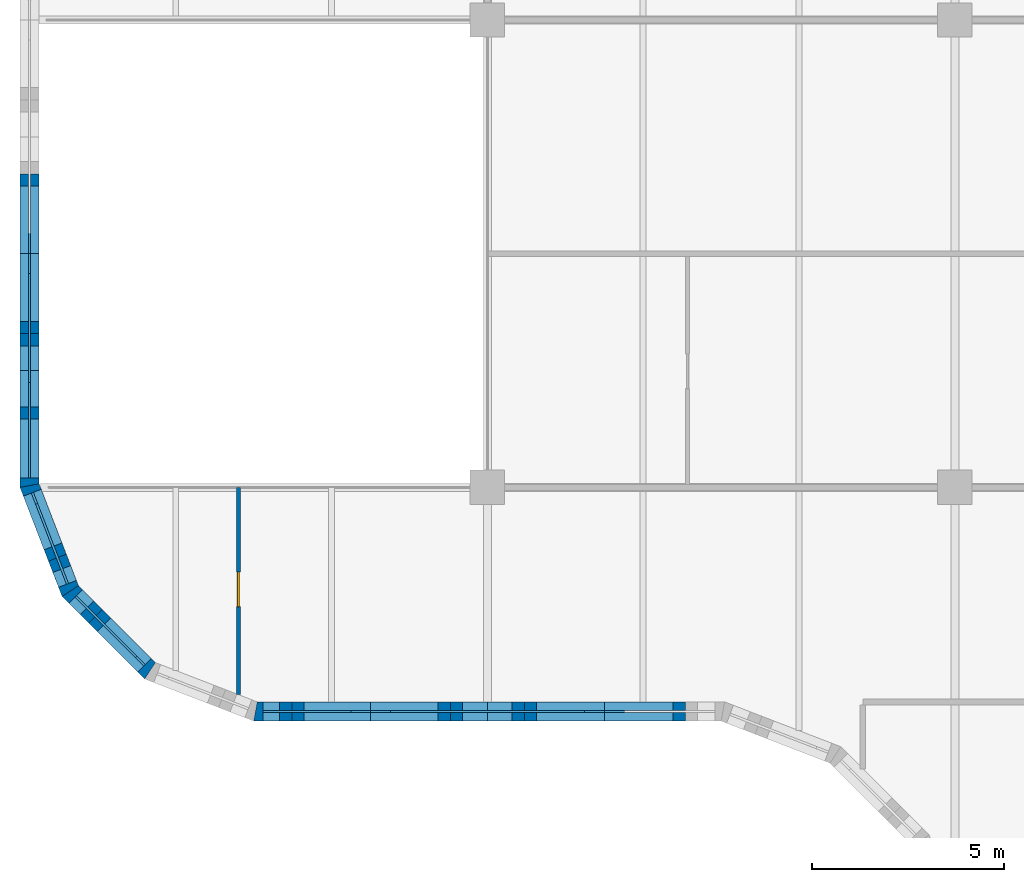
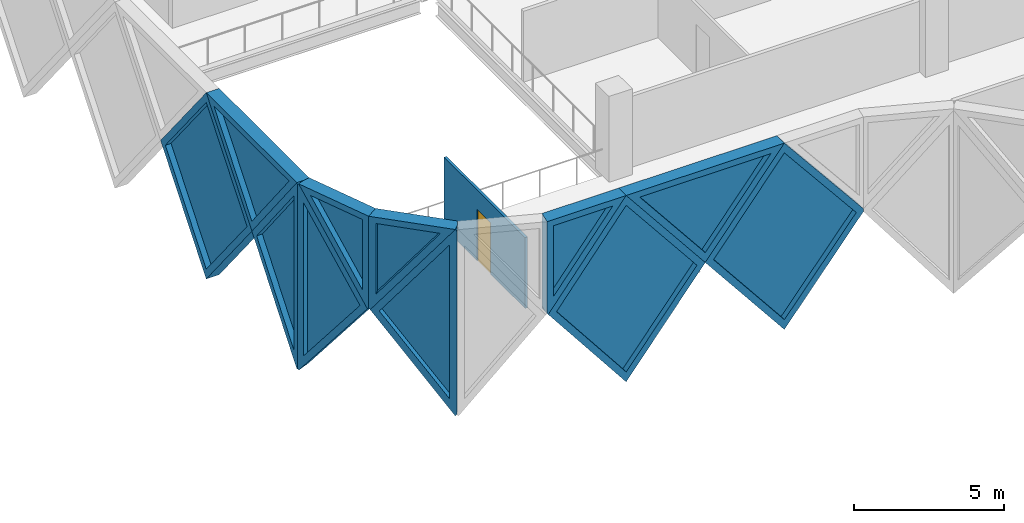
# One storey, part 4 of 15: 12 walls, 11 plates, 1 door, 12 openings.
"""IFC4 building model written with IfcOpenShell, lengths in metres."""

from ifc_helpers import new_model, si_unit, direction, frame, frame_2d, origin, place, context, subcontext, project, spatial, polyline, rectangle, outline, extrude, faceted_brep, source, transform, mapped, material, layer, layer_set, type_object, element, fill, save


model = new_model("IFC4")

# Units and contexts
model_context = context("Model", 3, precision=1e-05, world=origin(), true_north=direction((0.0, 1.0)))
body_context = subcontext(model_context, "Body", "Model", "MODEL_VIEW")
ifc_project = project(units=[si_unit("LENGTHUNIT", "METRE"), si_unit("AREAUNIT", "SQUARE_METRE"), si_unit("VOLUMEUNIT", "CUBIC_METRE"), si_unit("PLANEANGLEUNIT", "RADIAN"), si_unit("MASSUNIT", "GRAM", prefix="KILO")], contexts=[model_context])

# Site, building, storey
site_placement = place(None, origin())
site = spatial("IfcSite", under=ifc_project, at=site_placement, CompositionType="ELEMENT")
building_placement = place(site_placement, origin())
building = spatial("IfcBuilding", under=site, at=building_placement, Name="Tessera Gate Towers", CompositionType="ELEMENT")
storey_placement = place(building_placement, frame((0.0, 0.0, 146.800048828125)))
storey = spatial("IfcBuildingStorey", under=building, at=storey_placement, Name="L36", CompositionType="ELEMENT", Elevation=146.800048828125)

# Wall, opening, door
ifc_material_1 = material(Name="Glass", Category="glass")
ifc_layer_1 = layer(ifc_material_1, 0.10009765625)
ifc_layer_set_1 = layer_set([ifc_layer_1], Name="GLAZED PARTITION 100")
wall_type_1 = type_object("IfcWallType", Name="GLAZED PARTITION 100", PredefinedType="PARTITIONING", material=ifc_layer_set_1)
wall_1_placement = place(storey_placement, frame((5.699951171875, 18.990234375, 0.0), z_axis=(0.0, 0.0, 1.0), x_axis=(0.0, 1.0, 0.0)))
wall_1 = element("IfcWall", 1, at=wall_1_placement, inside=storey, type_object=wall_type_1, Name="T1-L36-PW-026", PredefinedType="PARTITIONING", context=body_context, shape_type="SweptSolid", body=[
    extrude(rectangle(XDim=5.40966796875, YDim=0.10009765625, at=frame_2d((2.704833984375, 0.0))), origin(), (0.0, 0.0, 1.0), 2.887939453125),
])
shared_shape_1 = source(origin(), body_context, "Body", "SweptSolid", [
    extrude(rectangle(XDim=0.89990234375, YDim=2.10009765625, at=frame_2d((0.449951171875, 1.050048828125))), frame((0.0, 0.06005859375, 0.0), z_axis=(0.0, -1.0, 0.0), x_axis=(1.0, 0.0, 0.0)), (0.0, 0.0, 1.0), 0.1201171875),
])
opening_1_placement = place(wall_1_placement, frame((2.300048828125, 0.0, 0.0)))
opening_1 = element("IfcOpeningElement", 2, at=opening_1_placement, cuts=wall_1, Name="Opening D690-A13-03", PredefinedType="OPENING", context=body_context, shape_type="MappedRepresentation", body=[
    mapped(shared_shape_1, transform((0.0, 0.0, 0.0), scale=1.0)),
])
ifc_material_2 = material(Name="Glass in aluminium frame", Category="aluminium")
door_type = type_object("IfcDoorType", Name="GLAZED DOOR 900 NOT RATED", OperationType="NOTDEFINED", PredefinedType="DOOR", material=ifc_material_2)
shared_shape_2 = source(origin(), body_context, "Body", "SweptSolid", [
    extrude(rectangle(XDim=0.89990234375, YDim=2.10009765625, at=frame_2d((0.449951171875, 1.050048828125))), frame((0.0, 0.02490234375, 0.0), z_axis=(0.0, -1.0, 0.0), x_axis=(1.0, 0.0, 0.0)), (0.0, 0.0, 1.0), 0.050048828125),
])
door_placement = place(opening_1_placement, origin())
door = element("IfcDoor", 3, at=door_placement, inside=storey, type_object=door_type, Name="T1-L36-PD-008", OperationType="SINGLE_SWING_LEFT", OverallHeight=2.10009765625, OverallWidth=0.89990234375, PredefinedType="DOOR", context=body_context, shape_type="MappedRepresentation", body=[
    mapped(shared_shape_2, transform((0.0, 0.0, 0.0), scale=1.0)),
])
fill(opening_1, door)

# Wall, opening, plate
ifc_material_3 = material(Name="Precast concrete C60/75 white", Category="concrete")
ifc_layer_2 = layer(ifc_material_3, 0.5)
ifc_layer_set_2 = layer_set([ifc_layer_2], Name="TS1 tessera")
wall_type_2 = type_object("IfcWallType", Name="TS1 tessera", PredefinedType="SOLIDWALL", material=ifc_layer_set_2)
shared_shape_3 = source(origin(), body_context, "Body", "Brep", [
    faceted_brep([(3.00341796875, -0.25, 0.0), (6.053466796875, -0.25, 3.800048828125), (3.00341796875, -0.25, 7.60009765625), (0.0, -0.25, 3.800048828125), (0.046630859375, 0.25, 3.85888671875), (3.00341796875, 0.25, 7.60009765625), (6.053466796875, 0.25, 3.800048828125), (3.00341796875, 0.25, 0.0), (0.046630859375, 0.25, 3.7412109375), (0.0, 0.0, 3.800048828125)], [[[0, 1, 2, 3]], [[4, 5, 6, 7, 8]], [[7, 6, 1, 0]], [[6, 5, 2, 1]], [[5, 4, 9, 3, 2]], [[8, 7, 0, 3, 9]], [[8, 9, 4]]]),
])
wall_2_placement = place(storey_placement, frame((6.146484375, 18.550048828125, -3.800048828125), z_axis=(0.0, 0.0, 1.0), x_axis=(1.0, 0.0, 0.0)))
wall_2 = element("IfcWall", 4, at=wall_2_placement, inside=storey, type_object=wall_type_2, Name="Precast tessera T1 TS1-0642", PredefinedType="SOLIDWALL", context=body_context, shape_type="MappedRepresentation", body=[
    mapped(shared_shape_3, transform((0.0, 0.0, 0.0), scale=1.0)),
])
shared_shape_4 = source(origin(), body_context, "Body", "SweptSolid", [
    extrude(outline(polyline([(3.0048828125, 0.4013671875), (5.73291015625, 3.800048828125), (3.0048828125, 7.19873046875), (0.318603515625, 3.800048828125), (3.0048828125, 0.4013671875)])), frame((0.0, 0.260009765625, 0.0), z_axis=(0.0, -1.0, 0.0), x_axis=(1.0, 0.0, 0.0)), (0.0, 0.0, 1.0), 0.52001953125),
])
opening_2_placement = place(wall_2_placement, origin())
opening_2 = element("IfcOpeningElement", 5, at=opening_2_placement, cuts=wall_2, Name="Opening T1-PL2-1306", PredefinedType="OPENING", context=body_context, shape_type="MappedRepresentation", body=[
    mapped(shared_shape_4, transform((0.0, 0.0, 0.0), scale=1.0)),
])
ifc_material_4 = material(Name="Low-e laminated glass", Category="glass")
ifc_layer_3 = layer(ifc_material_4, 0.06005859375)
ifc_layer_set_3 = layer_set([ifc_layer_3], Name="PL2 rhombic pane")
plate_type_1 = type_object("IfcPlateType", Name="PL2 rhombic pane", PredefinedType="SHEET", material=ifc_layer_set_3)
shared_shape_5 = source(origin(), body_context, "Body", "SweptSolid", [
    extrude(outline(polyline([(3.0048828125, 0.4013671875), (5.73291015625, 3.800048828125), (3.0048828125, 7.19873046875), (0.318603515625, 3.800048828125), (3.0048828125, 0.4013671875)])), frame((0.0, 0.030029296875, 0.0), z_axis=(0.0, -1.0, 0.0), x_axis=(1.0, 0.0, 0.0)), (0.0, 0.0, 1.0), 0.06005859375),
])
plate_1_placement = place(opening_2_placement, origin())
plate_1 = element("IfcPlate", 6, at=plate_1_placement, inside=storey, type_object=plate_type_1, Name="Glass pane T1 PL2-1306", PredefinedType="SHEET", context=body_context, shape_type="MappedRepresentation", body=[
    mapped(shared_shape_5, transform((0.0, 0.0, 0.0), scale=1.0)),
])
fill(opening_2, plate_1)

shared_shape_6 = source(origin(), body_context, "Body", "SweptSolid", [
    extrude(outline(polyline([(3.050048828125, 0.0), (6.10009765625, 3.800048828125), (3.050048828125, 7.60009765625), (0.0, 3.800048828125), (3.050048828125, 0.0)])), frame((0.0, 0.25, 0.0), z_axis=(0.0, -1.0, 0.0), x_axis=(1.0, 0.0, 0.0)), (0.0, 0.0, 1.0), 0.5),
])
wall_3_placement = place(storey_placement, frame((0.25, 33.550048828125, -3.800048828125), z_axis=(0.0, 0.0, 1.0), x_axis=(0.0, -1.0, 0.0)))
wall_3 = element("IfcWall", 7, at=wall_3_placement, inside=storey, type_object=wall_type_2, Name="Precast tessera T1 TS1-0641", PredefinedType="SOLIDWALL", context=body_context, shape_type="MappedRepresentation", body=[
    mapped(shared_shape_6, transform((0.0, 0.0, 0.0), scale=1.0)),
])
shared_shape_7 = source(origin(), body_context, "Body", "SweptSolid", [
    extrude(outline(polyline([(3.050048828125, 0.3994140625), (5.779541015625, 3.800048828125), (3.050048828125, 7.20068359375), (0.320556640625, 3.800048828125), (3.050048828125, 0.3994140625)])), frame((0.0, 0.260009765625, 0.0), z_axis=(0.0, -1.0, 0.0), x_axis=(1.0, 0.0, 0.0)), (0.0, 0.0, 1.0), 0.52001953125),
])
opening_3_placement = place(wall_3_placement, origin())
opening_3 = element("IfcOpeningElement", 8, at=opening_3_placement, cuts=wall_3, Name="Opening T1-PL2-1301", PredefinedType="OPENING", context=body_context, shape_type="MappedRepresentation", body=[
    mapped(shared_shape_7, transform((0.0, 0.0, 0.0), scale=1.0)),
])
shared_shape_8 = source(origin(), body_context, "Body", "SweptSolid", [
    extrude(outline(polyline([(3.050048828125, 0.3994140625), (5.779541015625, 3.800048828125), (3.050048828125, 7.20068359375), (0.320556640625, 3.800048828125), (3.050048828125, 0.3994140625)])), frame((0.0, 0.030029296875, 0.0), z_axis=(0.0, -1.0, 0.0), x_axis=(1.0, 0.0, 0.0)), (0.0, 0.0, 1.0), 0.06005859375),
])
plate_2_placement = place(opening_3_placement, origin())
plate_2 = element("IfcPlate", 9, at=plate_2_placement, inside=storey, type_object=plate_type_1, Name="Glass pane T1 PL2-1301", PredefinedType="SHEET", context=body_context, shape_type="MappedRepresentation", body=[
    mapped(shared_shape_8, transform((0.0, 0.0, 0.0), scale=1.0)),
])
fill(opening_3, plate_2)

ifc_material_5 = material(Name="Precast concrete C60/75 white", Category="concrete")
ifc_layer_4 = layer(ifc_material_5, 0.5)
ifc_layer_set_4 = layer_set([ifc_layer_4], Name="TS3 corner tessera")
wall_type_3 = type_object("IfcWallType", Name="TS3 corner tessera", PredefinedType="SOLIDWALL", material=ifc_layer_set_4)
shared_shape_9 = source(origin(), body_context, "Body", "Brep", [
    faceted_brep([(3.00341796875, -0.25, 0.0), (3.050048828125, -0.25, 0.06005859375), (3.050048828125, -0.25, 7.5400390625), (3.00341796875, -0.25, 7.60009765625), (0.0, -0.25, 3.800048828125), (0.0, 0.25, 3.800048828125), (2.956787109375, 0.25, 7.541259765625), (2.956787109375, 0.25, 0.058837890625), (3.00341796875, 0.000244140625, 0.0), (3.00341796875, 0.000244140625, 7.60009765625)], [[[0, 1, 2, 3, 4]], [[5, 6, 7]], [[1, 0, 8]], [[9, 3, 2]], [[6, 5, 4, 3, 9]], [[5, 7, 8, 0, 4]], [[1, 8, 7, 6, 9, 2]]]),
])
wall_4_placement = place(storey_placement, frame((0.25, 27.449951171875, -3.800048828125), z_axis=(0.0, 0.0, 1.0), x_axis=(0.0, -1.0, 0.0)))
wall_4 = element("IfcWall", 10, at=wall_4_placement, inside=storey, type_object=wall_type_3, Name="Precast corner tessera T1 TS3-0829", PredefinedType="SOLIDWALL", context=body_context, shape_type="MappedRepresentation", body=[
    mapped(shared_shape_9, transform((0.0, 0.0, 0.0), scale=1.0)),
])
shared_shape_10 = source(origin(), body_context, "Body", "SweptSolid", [
    extrude(outline(polyline([(2.803466796875, 6.94384765625), (0.318603515625, 3.800048828125), (2.803466796875, 0.65625), (2.803466796875, 6.94384765625)])), frame((0.0, 0.260009765625, 0.0), z_axis=(0.0, -1.0, 0.0), x_axis=(1.0, 0.0, 0.0)), (0.0, 0.0, 1.0), 0.52001953125),
])
opening_4_placement = place(wall_4_placement, origin())
opening_4 = element("IfcOpeningElement", 11, at=opening_4_placement, cuts=wall_4, Name="Opening T1-PL2-1302", PredefinedType="OPENING", context=body_context, shape_type="MappedRepresentation", body=[
    mapped(shared_shape_10, transform((0.0, 0.0, 0.0), scale=1.0)),
])
shared_shape_11 = source(origin(), body_context, "Body", "SweptSolid", [
    extrude(outline(polyline([(2.803466796875, 6.94384765625), (0.318603515625, 3.800048828125), (2.803466796875, 0.65625), (2.803466796875, 6.94384765625)])), frame((0.0, 0.030029296875, 0.0), z_axis=(0.0, -1.0, 0.0), x_axis=(1.0, 0.0, 0.0)), (0.0, 0.0, 1.0), 0.06005859375),
])
plate_3_placement = place(opening_4_placement, origin())
plate_3 = element("IfcPlate", 12, at=plate_3_placement, inside=storey, type_object=plate_type_1, Name="Glass pane T1 PL2-1302", PredefinedType="SHEET", context=body_context, shape_type="MappedRepresentation", body=[
    mapped(shared_shape_11, transform((0.0, 0.0, 0.0), scale=1.0)),
])
fill(opening_4, plate_3)

shared_shape_12 = source(origin(), body_context, "Body", "Brep", [
    faceted_brep([(0.046630859375, -0.25, 0.0), (2.9970703125, -0.25, 3.800048828125), (0.046630859375, -0.25, 7.60009765625), (0.0, -0.25, 7.541259765625), (0.0, -0.25, 0.058837890625), (0.09326171875, 0.25, 7.5400390625), (2.9443359375, 0.25, 3.8681640625), (2.9443359375, 0.25, 3.73193359375), (0.09326171875, 0.25, 0.06005859375), (2.9970703125, 0.00048828125, 3.800048828125), (0.046630859375, 0.0, 0.0), (0.046630859375, 0.0, 7.60009765625)], [[[0, 1, 2, 3, 4]], [[5, 6, 7, 8]], [[8, 7, 9, 1, 0, 10]], [[6, 5, 11, 2, 1, 9]], [[3, 2, 11]], [[10, 0, 4]], [[8, 10, 4, 3, 11, 5]], [[9, 7, 6]]]),
])
wall_5_placement = place(storey_placement, frame((0.233154296875, 24.489990234375, -3.800048828125), z_axis=(0.0, 0.0, 1.0), x_axis=(0.359901446078, -0.932990326376, 0.0)))
wall_5 = element("IfcWall", 13, at=wall_5_placement, inside=storey, type_object=wall_type_3, Name="Precast corner tessera T1 TS3-0830", PredefinedType="SOLIDWALL", context=body_context, shape_type="MappedRepresentation", body=[
    mapped(shared_shape_12, transform((0.0, 0.0, 0.0), scale=1.0)),
])
shared_shape_13 = source(origin(), body_context, "Body", "SweptSolid", [
    extrude(outline(polyline([(0.24658203125, 0.665283203125), (2.6806640625, 3.800048828125), (0.24658203125, 6.934814453125), (0.24658203125, 0.665283203125)])), frame((0.0, 0.260009765625, 0.0), z_axis=(0.0, -1.0, 0.0), x_axis=(1.0, 0.0, 0.0)), (0.0, 0.0, 1.0), 0.52001953125),
])
opening_5_placement = place(wall_5_placement, origin())
opening_5 = element("IfcOpeningElement", 14, at=opening_5_placement, cuts=wall_5, Name="Opening T1-PL2-1303", PredefinedType="OPENING", context=body_context, shape_type="MappedRepresentation", body=[
    mapped(shared_shape_13, transform((0.0, 0.0, 0.0), scale=1.0)),
])
shared_shape_14 = source(origin(), body_context, "Body", "SweptSolid", [
    extrude(outline(polyline([(0.24658203125, 0.665283203125), (2.6806640625, 3.800048828125), (0.24658203125, 6.934814453125), (0.24658203125, 0.665283203125)])), frame((0.0, 0.030029296875, 0.0), z_axis=(0.0, -1.0, 0.0), x_axis=(1.0, 0.0, 0.0)), (0.0, 0.0, 1.0), 0.06005859375),
])
plate_4_placement = place(opening_5_placement, origin())
plate_4 = element("IfcPlate", 15, at=plate_4_placement, inside=storey, type_object=plate_type_1, Name="Glass pane T1 PL2-1303", PredefinedType="SHEET", context=body_context, shape_type="MappedRepresentation", body=[
    mapped(shared_shape_14, transform((0.0, 0.0, 0.0), scale=1.0)),
])
fill(opening_5, plate_4)

shared_shape_15 = source(origin(), body_context, "Body", "Brep", [
    faceted_brep([(2.944091796875, -0.25, 0.0), (2.9970703125, -0.25, 0.068115234375), (2.9970703125, -0.25, 7.531982421875), (2.944091796875, -0.25, 7.60009765625), (0.0, -0.25, 3.800048828125), (0.052978515625, 0.25, 3.868408203125), (2.89111328125, 0.25, 7.531982421875), (2.89111328125, 0.25, 0.068115234375), (0.052978515625, 0.25, 3.731689453125), (2.944091796875, 0.000244140625, 0.0), (2.944091796875, 0.000244140625, 7.60009765625), (0.0, 0.0, 3.800048828125)], [[[0, 1, 2, 3, 4]], [[5, 6, 7, 8]], [[1, 0, 9]], [[10, 3, 2]], [[6, 5, 11, 4, 3, 10]], [[8, 7, 9, 0, 4, 11]], [[8, 11, 5]], [[1, 9, 7, 6, 10, 2]]]),
])
wall_6_placement = place(storey_placement, frame((1.31201171875, 21.69384765625, -3.800048828125), z_axis=(0.0, 0.0, 1.0), x_axis=(0.707066050402, -0.707147509625, 0.0)))
wall_6 = element("IfcWall", 16, at=wall_6_placement, inside=storey, type_object=wall_type_3, Name="Precast corner tessera T1 TS3-0831", PredefinedType="SOLIDWALL", context=body_context, shape_type="MappedRepresentation", body=[
    mapped(shared_shape_15, transform((0.0, 0.0, 0.0), scale=1.0)),
])
shared_shape_16 = source(origin(), body_context, "Body", "SweptSolid", [
    extrude(outline(polyline([(2.744140625, 6.93359375), (0.316162109375, 3.800048828125), (2.744140625, 0.666259765625), (2.744140625, 6.93359375)])), frame((0.0, 0.260009765625, 0.0), z_axis=(0.0, -1.0, 0.0), x_axis=(1.0, 0.0, 0.0)), (0.0, 0.0, 1.0), 0.52001953125),
])
opening_6_placement = place(wall_6_placement, origin())
opening_6 = element("IfcOpeningElement", 17, at=opening_6_placement, cuts=wall_6, Name="Opening T1-PL2-1304", PredefinedType="OPENING", context=body_context, shape_type="MappedRepresentation", body=[
    mapped(shared_shape_16, transform((0.0, 0.0, 0.0), scale=1.0)),
])
shared_shape_17 = source(origin(), body_context, "Body", "SweptSolid", [
    extrude(outline(polyline([(2.744140625, 6.93359375), (0.316162109375, 3.800048828125), (2.744140625, 0.666259765625), (2.744140625, 6.93359375)])), frame((0.0, 0.030029296875, 0.0), z_axis=(0.0, -1.0, 0.0), x_axis=(1.0, 0.0, 0.0)), (0.0, 0.0, 1.0), 0.06005859375),
])
plate_5_placement = place(opening_6_placement, origin())
plate_5 = element("IfcPlate", 18, at=plate_5_placement, inside=storey, type_object=plate_type_1, Name="Glass pane T1 PL2-1304", PredefinedType="SHEET", context=body_context, shape_type="MappedRepresentation", body=[
    mapped(shared_shape_17, transform((0.0, 0.0, 0.0), scale=1.0)),
])
fill(opening_6, plate_5)

shared_shape_18 = source(origin(), body_context, "Body", "Brep", [
    faceted_brep([(3.050048828125, -0.25, 0.0), (6.10009765625, -0.25, 3.742919921875), (6.10009765625, -0.25, 3.857177734375), (3.050048828125, -0.25, 7.60009765625), (0.0, -0.25, 3.800048828125), (0.0, 0.25, 3.800048828125), (3.050048828125, 0.25, 7.60009765625), (6.146484375, 0.25, 3.800048828125), (3.050048828125, 0.25, 0.0), (6.146484375, -0.000244140625, 3.800048828125)], [[[0, 1, 2, 3, 4]], [[5, 6, 7, 8]], [[8, 7, 9, 1, 0]], [[7, 6, 3, 2, 9]], [[6, 5, 4, 3]], [[5, 8, 0, 4]], [[1, 9, 2]]]),
])
wall_7_placement = place(storey_placement, frame((12.199951171875, 18.550048828125, -3.800048828125), z_axis=(0.0, 0.0, 1.0), x_axis=(1.0, 0.0, 0.0)))
wall_7 = element("IfcWall", 19, at=wall_7_placement, inside=storey, type_object=wall_type_2, Name="Precast tessera T1 TS1-0643", PredefinedType="SOLIDWALL", context=body_context, shape_type="MappedRepresentation", body=[
    mapped(shared_shape_18, transform((0.0, 0.0, 0.0), scale=1.0)),
])
shared_shape_19 = source(origin(), body_context, "Body", "SweptSolid", [
    extrude(outline(polyline([(3.051513671875, 0.3974609375), (5.823974609375, 3.800048828125), (3.051513671875, 7.202392578125), (0.320556640625, 3.800048828125), (3.051513671875, 0.3974609375)])), frame((0.0, 0.260009765625, 0.0), z_axis=(0.0, -1.0, 0.0), x_axis=(1.0, 0.0, 0.0)), (0.0, 0.0, 1.0), 0.52001953125),
])
opening_7_placement = place(wall_7_placement, origin())
opening_7 = element("IfcOpeningElement", 20, at=opening_7_placement, cuts=wall_7, Name="Opening T1-PL2-1307", PredefinedType="OPENING", context=body_context, shape_type="MappedRepresentation", body=[
    mapped(shared_shape_19, transform((0.0, 0.0, 0.0), scale=1.0)),
])
shared_shape_20 = source(origin(), body_context, "Body", "SweptSolid", [
    extrude(outline(polyline([(3.051513671875, 0.3974609375), (5.823974609375, 3.800048828125), (3.051513671875, 7.202392578125), (0.320556640625, 3.800048828125), (3.051513671875, 0.3974609375)])), frame((0.0, 0.030029296875, 0.0), z_axis=(0.0, -1.0, 0.0), x_axis=(1.0, 0.0, 0.0)), (0.0, 0.0, 1.0), 0.06005859375),
])
plate_6_placement = place(opening_7_placement, origin())
plate_6 = element("IfcPlate", 21, at=plate_6_placement, inside=storey, type_object=plate_type_1, Name="Glass pane T1 PL2-1307", PredefinedType="SHEET", context=body_context, shape_type="MappedRepresentation", body=[
    mapped(shared_shape_20, transform((0.0, 0.0, 0.0), scale=1.0)),
])
fill(opening_7, plate_6)

shared_shape_21 = source(origin(), body_context, "Body", "Brep", [
    faceted_brep([(0.046630859375, -0.25, 0.0), (3.050048828125, -0.25, 3.800048828125), (0.0, -0.25, 3.800048828125), (0.0, -0.25, 0.06005859375), (0.09326171875, 0.25, 3.800048828125), (3.050048828125, 0.25, 3.800048828125), (0.09326171875, 0.25, 0.058837890625), (0.046630859375, 0.0, 0.0)], [[[0, 1, 2, 3]], [[4, 5, 6]], [[6, 5, 1, 0, 7]], [[5, 4, 2, 1]], [[7, 0, 3]], [[6, 7, 3, 2, 4]]]),
])
wall_8_placement = place(storey_placement, frame((6.099853515625, 18.550048828125, 0.0), z_axis=(0.0, 0.0, 1.0), x_axis=(1.0, 0.0, 0.0)))
wall_8 = element("IfcWall", 22, at=wall_8_placement, inside=storey, type_object=wall_type_3, Name="Precast corner tessera T1 TS3-0858", PredefinedType="SOLIDWALL", context=body_context, shape_type="MappedRepresentation", body=[
    mapped(shared_shape_21, transform((0.0, 0.0, 0.0), scale=1.0)),
])
shared_shape_22 = source(origin(), body_context, "Body", "SweptSolid", [
    extrude(outline(polyline([(0.24658203125, 0.65625), (2.533935546875, 3.550048828125), (0.24658203125, 3.550048828125), (0.24658203125, 0.65625)])), frame((0.0, 0.260009765625, 0.0), z_axis=(0.0, -1.0, 0.0), x_axis=(1.0, 0.0, 0.0)), (0.0, 0.0, 1.0), 0.52001953125),
])
opening_8_placement = place(wall_8_placement, origin())
opening_8 = element("IfcOpeningElement", 23, at=opening_8_placement, cuts=wall_8, Name="Opening T1-PL1-0367", PredefinedType="OPENING", context=body_context, shape_type="MappedRepresentation", body=[
    mapped(shared_shape_22, transform((0.0, 0.0, 0.0), scale=1.0)),
])
ifc_material_6 = material(Name="Low-e laminated glass", Category="glass")
ifc_layer_5 = layer(ifc_material_6, 0.06005859375)
ifc_layer_set_5 = layer_set([ifc_layer_5], Name="PL1 triangular pane")
plate_type_2 = type_object("IfcPlateType", Name="PL1 triangular pane", PredefinedType="SHEET", material=ifc_layer_set_5)
shared_shape_23 = source(origin(), body_context, "Body", "SweptSolid", [
    extrude(outline(polyline([(0.24658203125, 0.65625), (2.533935546875, 3.550048828125), (0.24658203125, 3.550048828125), (0.24658203125, 0.65625)])), frame((0.0, 0.030029296875, 0.0), z_axis=(0.0, -1.0, 0.0), x_axis=(1.0, 0.0, 0.0)), (0.0, 0.0, 1.0), 0.06005859375),
])
plate_7_placement = place(opening_8_placement, origin())
plate_7 = element("IfcPlate", 24, at=plate_7_placement, inside=storey, type_object=plate_type_2, Name="Glass pane T1 PL1-0367", PredefinedType="SHEET", context=body_context, shape_type="MappedRepresentation", body=[
    mapped(shared_shape_23, transform((0.0, 0.0, 0.0), scale=1.0)),
])
fill(opening_8, plate_7)

ifc_material_7 = material(Name="Precast concrete C60/75 white", Category="concrete")
ifc_layer_6 = layer(ifc_material_7, 0.5)
ifc_layer_set_6 = layer_set([ifc_layer_6], Name="TS2 half tessera")
wall_type_4 = type_object("IfcWallType", Name="TS2 half tessera", PredefinedType="SOLIDWALL", material=ifc_layer_set_6)
shared_shape_24 = source(origin(), body_context, "Body", "SweptSolid", [
    extrude(outline(polyline([(3.050048828125, 0.0), (6.10009765625, 3.800048828125), (0.0, 3.800048828125), (3.050048828125, 0.0)])), frame((0.0, 0.25, 0.0), z_axis=(0.0, -1.0, 0.0), x_axis=(1.0, 0.0, 0.0)), (0.0, 0.0, 1.0), 0.5),
])
wall_9_placement = place(storey_placement, frame((9.14990234375, 18.550048828125, 0.0), z_axis=(0.0, 0.0, 1.0), x_axis=(1.0, 0.0, 0.0)))
wall_9 = element("IfcWall", 25, at=wall_9_placement, inside=storey, type_object=wall_type_4, Name="Precast half tessera T1 TS2-0182", PredefinedType="SOLIDWALL", context=body_context, shape_type="MappedRepresentation", body=[
    mapped(shared_shape_24, transform((0.0, 0.0, 0.0), scale=1.0)),
])
shared_shape_25 = source(origin(), body_context, "Body", "SweptSolid", [
    extrude(outline(polyline([(3.050048828125, 0.3994140625), (5.578857421875, 3.550048828125), (0.521240234375, 3.550048828125), (3.050048828125, 0.3994140625)])), frame((0.0, 0.260009765625, 0.0), z_axis=(0.0, -1.0, 0.0), x_axis=(1.0, 0.0, 0.0)), (0.0, 0.0, 1.0), 0.52001953125),
])
opening_9_placement = place(wall_9_placement, origin())
opening_9 = element("IfcOpeningElement", 26, at=opening_9_placement, cuts=wall_9, Name="Opening T1-PL1-0368", PredefinedType="OPENING", context=body_context, shape_type="MappedRepresentation", body=[
    mapped(shared_shape_25, transform((0.0, 0.0, 0.0), scale=1.0)),
])
shared_shape_26 = source(origin(), body_context, "Body", "SweptSolid", [
    extrude(outline(polyline([(3.050048828125, 0.3994140625), (5.578857421875, 3.550048828125), (0.521240234375, 3.550048828125), (3.050048828125, 0.3994140625)])), frame((0.0, 0.030029296875, 0.0), z_axis=(0.0, -1.0, 0.0), x_axis=(1.0, 0.0, 0.0)), (0.0, 0.0, 1.0), 0.06005859375),
])
plate_8_placement = place(opening_9_placement, origin())
plate_8 = element("IfcPlate", 27, at=plate_8_placement, inside=storey, type_object=plate_type_2, Name="Glass pane T1 PL1-0368", PredefinedType="SHEET", context=body_context, shape_type="MappedRepresentation", body=[
    mapped(shared_shape_26, transform((0.0, 0.0, 0.0), scale=1.0)),
])
fill(opening_9, plate_8)

shared_shape_27 = source(origin(), body_context, "Body", "Brep", [
    faceted_brep([(3.050048828125, -0.25, 0.0), (6.053466796875, -0.25, 3.800048828125), (0.0, -0.25, 3.800048828125), (0.0, 0.25, 3.800048828125), (6.0068359375, 0.25, 3.800048828125), (6.0068359375, 0.25, 3.7412109375), (3.050048828125, 0.25, 0.0), (6.053466796875, 0.0, 3.800048828125)], [[[0, 1, 2]], [[3, 4, 5, 6]], [[6, 5, 7, 1, 0]], [[4, 3, 2, 1, 7]], [[3, 6, 0, 2]], [[5, 4, 7]]]),
])
wall_10_placement = place(storey_placement, frame((0.25, 30.5, 0.0), z_axis=(0.0, 0.0, 1.0), x_axis=(0.0, -1.0, 0.0)))
wall_10 = element("IfcWall", 28, at=wall_10_placement, inside=storey, type_object=wall_type_4, Name="Precast half tessera T1 TS2-0181", PredefinedType="SOLIDWALL", context=body_context, shape_type="MappedRepresentation", body=[
    mapped(shared_shape_27, transform((0.0, 0.0, 0.0), scale=1.0)),
])
shared_shape_28 = source(origin(), body_context, "Body", "SweptSolid", [
    extrude(outline(polyline([(3.048583984375, 0.401123046875), (5.537109375, 3.550048828125), (0.521240234375, 3.550048828125), (3.048583984375, 0.401123046875)])), frame((0.0, 0.260009765625, 0.0), z_axis=(0.0, -1.0, 0.0), x_axis=(1.0, 0.0, 0.0)), (0.0, 0.0, 1.0), 0.52001953125),
])
opening_10_placement = place(wall_10_placement, origin())
opening_10 = element("IfcOpeningElement", 29, at=opening_10_placement, cuts=wall_10, Name="Opening T1-PL1-0363", PredefinedType="OPENING", context=body_context, shape_type="MappedRepresentation", body=[
    mapped(shared_shape_28, transform((0.0, 0.0, 0.0), scale=1.0)),
])
shared_shape_29 = source(origin(), body_context, "Body", "SweptSolid", [
    extrude(outline(polyline([(3.048583984375, 0.401123046875), (5.537109375, 3.550048828125), (0.521240234375, 3.550048828125), (3.048583984375, 0.401123046875)])), frame((0.0, 0.030029296875, 0.0), z_axis=(0.0, -1.0, 0.0), x_axis=(1.0, 0.0, 0.0)), (0.0, 0.0, 1.0), 0.06005859375),
])
plate_9_placement = place(opening_10_placement, origin())
plate_9 = element("IfcPlate", 30, at=plate_9_placement, inside=storey, type_object=plate_type_2, Name="Glass pane T1 PL1-0363", PredefinedType="SHEET", context=body_context, shape_type="MappedRepresentation", body=[
    mapped(shared_shape_29, transform((0.0, 0.0, 0.0), scale=1.0)),
])
fill(opening_10, plate_9)

shared_shape_30 = source(origin(), body_context, "Body", "Brep", [
    faceted_brep([(2.950439453125, -0.25, 0.0), (3.00341796875, -0.25, 0.068359375), (3.00341796875, -0.25, 3.800048828125), (0.0, -0.25, 3.800048828125), (0.046630859375, 0.25, 3.800048828125), (2.897705078125, 0.25, 3.800048828125), (2.897705078125, 0.25, 0.068115234375), (0.046630859375, 0.25, 3.739990234375), (2.950439453125, 0.00048828125, 0.0), (0.0, 0.0, 3.800048828125)], [[[0, 1, 2, 3]], [[4, 5, 6, 7]], [[1, 0, 8]], [[5, 4, 9, 3, 2]], [[7, 6, 8, 0, 3, 9]], [[7, 9, 4]], [[1, 8, 6, 5, 2]]]),
])
wall_11_placement = place(storey_placement, frame((0.25, 24.446533203125, 0.0), z_axis=(0.0, 0.0, 1.0), x_axis=(0.35992665181, -0.932980602862, 0.0)))
wall_11 = element("IfcWall", 31, at=wall_11_placement, inside=storey, type_object=wall_type_3, Name="Precast corner tessera T1 TS3-0855", PredefinedType="SOLIDWALL", context=body_context, shape_type="MappedRepresentation", body=[
    mapped(shared_shape_30, transform((0.0, 0.0, 0.0), scale=1.0)),
])
shared_shape_31 = source(origin(), body_context, "Body", "SweptSolid", [
    extrude(outline(polyline([(2.75048828125, 3.550048828125), (0.5107421875, 3.550048828125), (2.75048828125, 0.665283203125), (2.75048828125, 3.550048828125)])), frame((0.0, 0.260009765625, 0.0), z_axis=(0.0, -1.0, 0.0), x_axis=(1.0, 0.0, 0.0)), (0.0, 0.0, 1.0), 0.52001953125),
])
opening_11_placement = place(wall_11_placement, origin())
opening_11 = element("IfcOpeningElement", 32, at=opening_11_placement, cuts=wall_11, Name="Opening T1-PL1-0364", PredefinedType="OPENING", context=body_context, shape_type="MappedRepresentation", body=[
    mapped(shared_shape_31, transform((0.0, 0.0, 0.0), scale=1.0)),
])
shared_shape_32 = source(origin(), body_context, "Body", "SweptSolid", [
    extrude(outline(polyline([(2.75048828125, 3.550048828125), (0.5107421875, 3.550048828125), (2.75048828125, 0.665283203125), (2.75048828125, 3.550048828125)])), frame((0.0, 0.030029296875, 0.0), z_axis=(0.0, -1.0, 0.0), x_axis=(1.0, 0.0, 0.0)), (0.0, 0.0, 1.0), 0.06005859375),
])
plate_10_placement = place(opening_11_placement, origin())
plate_10 = element("IfcPlate", 33, at=plate_10_placement, inside=storey, type_object=plate_type_2, Name="Glass pane T1 PL1-0364", PredefinedType="SHEET", context=body_context, shape_type="MappedRepresentation", body=[
    mapped(shared_shape_32, transform((0.0, 0.0, 0.0), scale=1.0)),
])
fill(opening_11, plate_10)

shared_shape_33 = source(origin(), body_context, "Body", "Brep", [
    faceted_brep([(0.052978515625, -0.25, 0.0), (2.9970703125, -0.25, 3.800048828125), (0.0, -0.25, 3.800048828125), (0.0, -0.25, 0.068115234375), (0.10595703125, 0.25, 3.800048828125), (2.944091796875, 0.25, 3.800048828125), (2.944091796875, 0.25, 3.73193359375), (0.10595703125, 0.25, 0.068359375), (2.9970703125, 0.000244140625, 3.800048828125), (0.052978515625, 0.0, 0.0)], [[[0, 1, 2, 3]], [[4, 5, 6, 7]], [[7, 6, 8, 1, 0, 9]], [[5, 4, 2, 1, 8]], [[9, 0, 3]], [[7, 9, 3, 2, 4]], [[6, 5, 8]]]),
])
wall_12_placement = place(storey_placement, frame((1.2744140625, 21.731201171875, 0.0), z_axis=(0.0, 0.0, 1.0), x_axis=(0.707147509625, -0.707066050402, 0.0)))
wall_12 = element("IfcWall", 34, at=wall_12_placement, inside=storey, type_object=wall_type_3, Name="Precast corner tessera T1 TS3-0856", PredefinedType="SOLIDWALL", context=body_context, shape_type="MappedRepresentation", body=[
    mapped(shared_shape_33, transform((0.0, 0.0, 0.0), scale=1.0)),
])
shared_shape_34 = source(origin(), body_context, "Body", "SweptSolid", [
    extrude(outline(polyline([(0.2529296875, 0.666259765625), (2.487060546875, 3.550048828125), (0.2529296875, 3.550048828125), (0.2529296875, 0.666259765625)])), frame((0.0, 0.260009765625, 0.0), z_axis=(0.0, -1.0, 0.0), x_axis=(1.0, 0.0, 0.0)), (0.0, 0.0, 1.0), 0.52001953125),
])
opening_12_placement = place(wall_12_placement, origin())
opening_12 = element("IfcOpeningElement", 35, at=opening_12_placement, cuts=wall_12, Name="Opening T1-PL1-0365", PredefinedType="OPENING", context=body_context, shape_type="MappedRepresentation", body=[
    mapped(shared_shape_34, transform((0.0, 0.0, 0.0), scale=1.0)),
])
shared_shape_35 = source(origin(), body_context, "Body", "SweptSolid", [
    extrude(outline(polyline([(0.2529296875, 0.666259765625), (2.487060546875, 3.550048828125), (0.2529296875, 3.550048828125), (0.2529296875, 0.666259765625)])), frame((0.0, 0.030029296875, 0.0), z_axis=(0.0, -1.0, 0.0), x_axis=(1.0, 0.0, 0.0)), (0.0, 0.0, 1.0), 0.06005859375),
])
plate_11_placement = place(opening_12_placement, origin())
plate_11 = element("IfcPlate", 36, at=plate_11_placement, inside=storey, type_object=plate_type_2, Name="Glass pane T1 PL1-0365", PredefinedType="SHEET", context=body_context, shape_type="MappedRepresentation", body=[
    mapped(shared_shape_35, transform((0.0, 0.0, 0.0), scale=1.0)),
])
fill(opening_12, plate_11)

save(model, "model.ifc")
